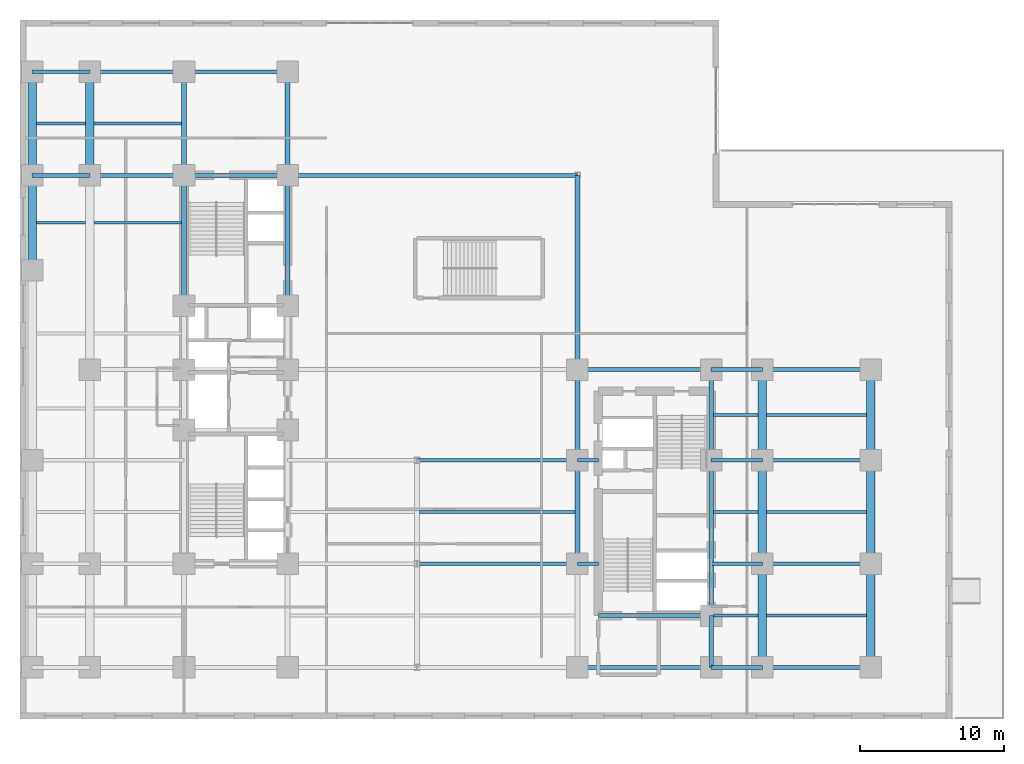
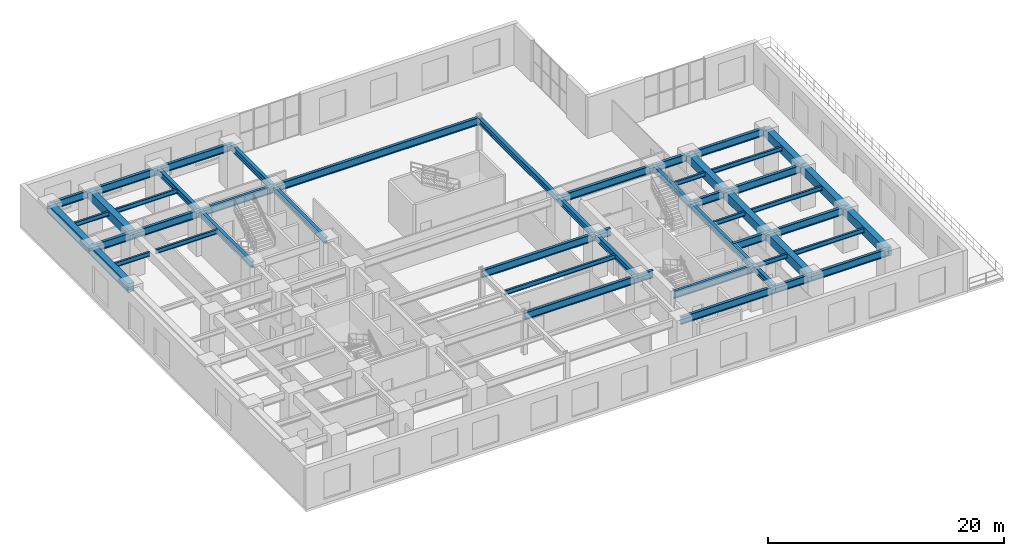
# One storey, part 3 of 15: 52 beams.
"""IFC4 building model written with IfcOpenShell, lengths in metres."""

from ifc_helpers import new_model, entity, si_unit, converted_unit, direction, frame, origin_with_axes, origin_2d_with_axis, place, context, subcontext, project, spatial, rectangle, i_section, extrude, material, material_profile, profile_set, type_object, element, save


model = new_model("IFC4")

# Units and contexts
model_context = context("Model", 3, precision=1e-05, world=origin_with_axes(), true_north=direction((0.0, 1.0)))
body_context = subcontext(model_context, "Body", "Model", "MODEL_VIEW")
ifc_project = project(units=[si_unit("LENGTHUNIT", "METRE"), si_unit("AREAUNIT", "SQUARE_METRE"), si_unit("VOLUMEUNIT", "CUBIC_METRE"), converted_unit("PLANEANGLEUNIT", "DEGREE", entity("IfcPlaneAngleMeasure", 0.017453292519943295), si_unit("PLANEANGLEUNIT", "RADIAN"), dimensions=[0, 0, 0, 0, 0, 0, 0]), si_unit("MASSUNIT", "GRAM", prefix="KILO"), si_unit("THERMODYNAMICTEMPERATUREUNIT", "KELVIN")], contexts=[model_context])

# Site, building, storey
site_placement = place(None, origin_with_axes())
site = spatial("IfcSite", under=ifc_project, at=site_placement, CompositionType="ELEMENT")
building_placement = place(site_placement, origin_with_axes())
building = spatial("IfcBuilding", under=site, at=building_placement, Name="Varnlund Millrace Tower", CompositionType="ELEMENT")
storey_placement = place(building_placement, frame((0.0, 0.0, 19.8), z_axis=(0.0, 0.0, 1.0), x_axis=(1.0, 0.0, 0.0)))
storey = spatial("IfcBuildingStorey", under=building, at=storey_placement, Name="L04", CompositionType="ELEMENT", Elevation=19.8)

# Beams
ifc_material_1 = material(Name="Steel ASTM A992 Grade 50", Category="steel")
ifc_material_profile_1 = material_profile(ifc_material_1, i_section(OverallWidth=0.328, OverallDepth=0.628, WebThickness=0.0165, FlangeThickness=0.0277, FilletRadius=0.018, at=origin_2d_with_axis()), Name="Steel ASTM A992 Grade 50")
ifc_profile_set_1 = profile_set([ifc_material_profile_1], Name="Steel ASTM A992 Grade 50")
beam_type_1 = type_object("IfcBeamType", Name="Type-Girder-W24X146", PredefinedType="USERDEFINED", material=ifc_profile_set_1)
beam_1_placement = place(storey_placement, frame((11.4, 28.75, 3.946), z_axis=(0.0, 1.0, 0.0), x_axis=(-1.0, 0.0, 0.0)))
element("IfcBeam", 1, at=beam_1_placement, inside=storey, type_object=beam_type_1, Name="Type-Girder-W24X146", ObjectType="GIRDER", PredefinedType="USERDEFINED", context=body_context, shape_type="SweptSolid", body=[
    extrude(i_section(OverallWidth=0.328, OverallDepth=0.628, WebThickness=0.0165, FlangeThickness=0.0277, FilletRadius=0.018, at=origin_2d_with_axis()), origin_with_axes(), (0.0, 0.0, 1.0), 9.05),
])
beam_2_placement = place(storey_placement, frame((11.4, 37.8, 3.946), z_axis=(0.0, 1.0, 0.0), x_axis=(-1.0, 0.0, 0.0)))
element("IfcBeam", 2, at=beam_2_placement, inside=storey, type_object=beam_type_1, Name="Type-Girder-W24X146", ObjectType="GIRDER", PredefinedType="USERDEFINED", context=body_context, shape_type="SweptSolid", body=[
    extrude(i_section(OverallWidth=0.328, OverallDepth=0.628, WebThickness=0.0165, FlangeThickness=0.0277, FilletRadius=0.018, at=origin_2d_with_axis()), origin_with_axes(), (0.0, 0.0, 1.0), 7.2),
])
beam_3_placement = place(storey_placement, frame((18.6, 28.75, 3.946), z_axis=(0.0, 1.0, 0.0), x_axis=(-1.0, 0.0, 0.0)))
element("IfcBeam", 3, at=beam_3_placement, inside=storey, type_object=beam_type_1, Name="Type-Girder-W24X146", ObjectType="GIRDER", PredefinedType="USERDEFINED", context=body_context, shape_type="SweptSolid", body=[
    extrude(i_section(OverallWidth=0.328, OverallDepth=0.628, WebThickness=0.0165, FlangeThickness=0.0277, FilletRadius=0.018, at=origin_2d_with_axis()), origin_with_axes(), (0.0, 0.0, 1.0), 9.05),
])
for number, where, z_axis, x_axis, name in (
    (4, (18.6, 37.8, 3.946), (0.0, 1.0, 0.0), (-1.0, 0.0, 0.0), "Type-Girder-W24X146"),
    (5, (38.75, 10.8, 3.946), (0.0, 1.0, 0.0), (-1.0, 0.0, 0.0), "Type-Girder-W24X146"),
):
    element("IfcBeam", number, at=place(storey_placement, frame(where, z_axis=z_axis, x_axis=x_axis)), inside=storey, type_object=beam_type_1, Name=name, ObjectType="GIRDER", PredefinedType="USERDEFINED", context=body_context, shape_type="SweptSolid", body=[
        extrude(i_section(OverallWidth=0.328, OverallDepth=0.628, WebThickness=0.0165, FlangeThickness=0.0277, FilletRadius=0.018, at=origin_2d_with_axis()), origin_with_axes(), (0.0, 0.0, 1.0), 7.2),
    ])
beam_4_placement = place(storey_placement, frame((38.75, 18.0, 3.946), z_axis=(0.0, 1.0, 0.0), x_axis=(-1.0, 0.0, 0.0)))
element("IfcBeam", 6, at=beam_4_placement, inside=storey, type_object=beam_type_1, Name="Type-Girder-W24X146", ObjectType="GIRDER", PredefinedType="USERDEFINED", context=body_context, shape_type="SweptSolid", body=[
    extrude(i_section(OverallWidth=0.328, OverallDepth=0.628, WebThickness=0.0165, FlangeThickness=0.0277, FilletRadius=0.018, at=origin_2d_with_axis()), origin_with_axes(), (0.0, 0.0, 1.0), 6.3),
])
beam_5_placement = place(storey_placement, frame((38.75, 24.3, 3.946), z_axis=(0.0, 1.0, 0.0), x_axis=(-1.0, 0.0, 0.0)))
element("IfcBeam", 7, at=beam_5_placement, inside=storey, type_object=beam_type_1, Name="Type-Girder-W24X146", ObjectType="GIRDER", PredefinedType="USERDEFINED", context=body_context, shape_type="SweptSolid", body=[
    extrude(i_section(OverallWidth=0.328, OverallDepth=0.628, WebThickness=0.0165, FlangeThickness=0.0277, FilletRadius=0.018, at=origin_2d_with_axis()), origin_with_axes(), (0.0, 0.0, 1.0), 13.5),
])
beam_6_placement = place(storey_placement, frame((48.05, 3.6, 3.946), z_axis=(0.0, 1.0, 0.0), x_axis=(-1.0, 0.0, 0.0)))
element("IfcBeam", 8, at=beam_6_placement, inside=storey, type_object=beam_type_1, Name="Type-Girder-W24X146", ObjectType="GIRDER", PredefinedType="USERDEFINED", context=body_context, shape_type="SweptSolid", body=[
    extrude(i_section(OverallWidth=0.328, OverallDepth=0.628, WebThickness=0.0165, FlangeThickness=0.0277, FilletRadius=0.018, at=origin_2d_with_axis()), origin_with_axes(), (0.0, 0.0, 1.0), 3.6),
])
beam_7_placement = place(storey_placement, frame((48.05, 7.2, 3.946), z_axis=(0.0, 1.0, 0.0), x_axis=(-1.0, 0.0, 0.0)))
element("IfcBeam", 9, at=beam_7_placement, inside=storey, type_object=beam_type_1, Name="Type-Girder-W24X146", ObjectType="GIRDER", PredefinedType="USERDEFINED", context=body_context, shape_type="SweptSolid", body=[
    extrude(i_section(OverallWidth=0.328, OverallDepth=0.628, WebThickness=0.0165, FlangeThickness=0.0277, FilletRadius=0.018, at=origin_2d_with_axis()), origin_with_axes(), (0.0, 0.0, 1.0), 10.8),
])
beam_8_placement = place(storey_placement, frame((48.05, 18.0, 3.946), z_axis=(0.0, 1.0, 0.0), x_axis=(-1.0, 0.0, 0.0)))
element("IfcBeam", 10, at=beam_8_placement, inside=storey, type_object=beam_type_1, Name="Type-Girder-W24X146", ObjectType="GIRDER", PredefinedType="USERDEFINED", context=body_context, shape_type="SweptSolid", body=[
    extrude(i_section(OverallWidth=0.328, OverallDepth=0.628, WebThickness=0.0165, FlangeThickness=0.0277, FilletRadius=0.018, at=origin_2d_with_axis()), origin_with_axes(), (0.0, 0.0, 1.0), 6.3),
])
ifc_material_profile_2 = material_profile(ifc_material_1, i_section(OverallWidth=0.266, OverallDepth=0.779, WebThickness=0.0165, FlangeThickness=0.03, FilletRadius=0.02, at=origin_2d_with_axis()), Name="Steel ASTM A992 Grade 50")
ifc_profile_set_2 = profile_set([ifc_material_profile_2], Name="Steel ASTM A992 Grade 50")
beam_type_2 = type_object("IfcBeamType", Name="Type-Girder-W30X148", PredefinedType="USERDEFINED", material=ifc_profile_set_2)
beam_9_placement = place(storey_placement, frame((38.75, 3.6, 3.8705), z_axis=(1.0, 0.0, 0.0), x_axis=(0.0, 1.0, 0.0)))
element("IfcBeam", 11, at=beam_9_placement, inside=storey, type_object=beam_type_2, Name="Type-Girder-W30X148", ObjectType="GIRDER", PredefinedType="USERDEFINED", context=body_context, shape_type="SweptSolid", body=[
    extrude(i_section(OverallWidth=0.266, OverallDepth=0.779, WebThickness=0.0165, FlangeThickness=0.03, FilletRadius=0.02, at=origin_2d_with_axis()), origin_with_axes(), (0.0, 0.0, 1.0), 9.3),
])
beam_10_placement = place(storey_placement, frame((48.05, 3.6, 3.8705), z_axis=(1.0, 0.0, 0.0), x_axis=(0.0, 1.0, 0.0)))
element("IfcBeam", 12, at=beam_10_placement, inside=storey, type_object=beam_type_2, Name="Type-Girder-W30X148", ObjectType="GIRDER", PredefinedType="USERDEFINED", context=body_context, shape_type="SweptSolid", body=[
    extrude(i_section(OverallWidth=0.266, OverallDepth=0.779, WebThickness=0.0165, FlangeThickness=0.03, FilletRadius=0.02, at=origin_2d_with_axis()), origin_with_axes(), (0.0, 0.0, 1.0), 3.55),
])
beam_11_placement = place(storey_placement, frame((51.6, 3.6, 3.8705), z_axis=(1.0, 0.0, 0.0), x_axis=(0.0, 1.0, 0.0)))
element("IfcBeam", 13, at=beam_11_placement, inside=storey, type_object=beam_type_2, Name="Type-Girder-W30X148", ObjectType="GIRDER", PredefinedType="USERDEFINED", context=body_context, shape_type="SweptSolid", body=[
    extrude(i_section(OverallWidth=0.266, OverallDepth=0.779, WebThickness=0.0165, FlangeThickness=0.03, FilletRadius=0.02, at=origin_2d_with_axis()), origin_with_axes(), (0.0, 0.0, 1.0), 7.55),
])
beam_12_placement = place(storey_placement, frame((40.2, 7.2, 3.8705), z_axis=(1.0, 0.0, 0.0), x_axis=(0.0, 1.0, 0.0)))
element("IfcBeam", 14, at=beam_12_placement, inside=storey, type_object=beam_type_2, Name="Type-Girder-W30X148", ObjectType="GIRDER", PredefinedType="USERDEFINED", context=body_context, shape_type="SweptSolid", body=[
    extrude(i_section(OverallWidth=0.266, OverallDepth=0.779, WebThickness=0.0165, FlangeThickness=0.03, FilletRadius=0.02, at=origin_2d_with_axis()), origin_with_axes(), (0.0, 0.0, 1.0), 7.85),
])
beam_13_placement = place(storey_placement, frame((27.6, 10.8, 3.8705), z_axis=(1.0, 0.0, 0.0), x_axis=(0.0, 1.0, 0.0)))
element("IfcBeam", 15, at=beam_13_placement, inside=storey, type_object=beam_type_2, Name="Type-Girder-W30X148", ObjectType="GIRDER", PredefinedType="USERDEFINED", context=body_context, shape_type="SweptSolid", body=[
    extrude(i_section(OverallWidth=0.266, OverallDepth=0.779, WebThickness=0.0165, FlangeThickness=0.03, FilletRadius=0.02, at=origin_2d_with_axis()), origin_with_axes(), (0.0, 0.0, 1.0), 11.15),
])
beam_14_placement = place(storey_placement, frame((38.75, 10.8, 3.8705), z_axis=(1.0, 0.0, 0.0), x_axis=(0.0, 1.0, 0.0)))
element("IfcBeam", 16, at=beam_14_placement, inside=storey, type_object=beam_type_2, Name="Type-Girder-W30X148", ObjectType="GIRDER", PredefinedType="USERDEFINED", context=body_context, shape_type="SweptSolid", body=[
    extrude(i_section(OverallWidth=0.266, OverallDepth=0.779, WebThickness=0.0165, FlangeThickness=0.03, FilletRadius=0.02, at=origin_2d_with_axis()), origin_with_axes(), (0.0, 0.0, 1.0), 1.45),
])
beam_15_placement = place(storey_placement, frame((48.05, 10.8, 3.8705), z_axis=(1.0, 0.0, 0.0), x_axis=(0.0, 1.0, 0.0)))
element("IfcBeam", 17, at=beam_15_placement, inside=storey, type_object=beam_type_2, Name="Type-Girder-W30X148", ObjectType="GIRDER", PredefinedType="USERDEFINED", context=body_context, shape_type="SweptSolid", body=[
    extrude(i_section(OverallWidth=0.266, OverallDepth=0.779, WebThickness=0.0165, FlangeThickness=0.03, FilletRadius=0.02, at=origin_2d_with_axis()), origin_with_axes(), (0.0, 0.0, 1.0), 3.55),
])
beam_16_placement = place(storey_placement, frame((51.6, 10.8, 3.8705), z_axis=(1.0, 0.0, 0.0), x_axis=(0.0, 1.0, 0.0)))
element("IfcBeam", 18, at=beam_16_placement, inside=storey, type_object=beam_type_2, Name="Type-Girder-W30X148", ObjectType="GIRDER", PredefinedType="USERDEFINED", context=body_context, shape_type="SweptSolid", body=[
    extrude(i_section(OverallWidth=0.266, OverallDepth=0.779, WebThickness=0.0165, FlangeThickness=0.03, FilletRadius=0.02, at=origin_2d_with_axis()), origin_with_axes(), (0.0, 0.0, 1.0), 7.55),
])
beam_17_placement = place(storey_placement, frame((27.6, 18.0, 3.8705), z_axis=(1.0, 0.0, 0.0), x_axis=(0.0, 1.0, 0.0)))
element("IfcBeam", 19, at=beam_17_placement, inside=storey, type_object=beam_type_2, Name="Type-Girder-W30X148", ObjectType="GIRDER", PredefinedType="USERDEFINED", context=body_context, shape_type="SweptSolid", body=[
    extrude(i_section(OverallWidth=0.266, OverallDepth=0.779, WebThickness=0.0165, FlangeThickness=0.03, FilletRadius=0.02, at=origin_2d_with_axis()), origin_with_axes(), (0.0, 0.0, 1.0), 11.15),
])
beam_18_placement = place(storey_placement, frame((38.75, 18.0, 3.8705), z_axis=(1.0, 0.0, 0.0), x_axis=(0.0, 1.0, 0.0)))
element("IfcBeam", 20, at=beam_18_placement, inside=storey, type_object=beam_type_2, Name="Type-Girder-W30X148", ObjectType="GIRDER", PredefinedType="USERDEFINED", context=body_context, shape_type="SweptSolid", body=[
    extrude(i_section(OverallWidth=0.266, OverallDepth=0.779, WebThickness=0.0165, FlangeThickness=0.03, FilletRadius=0.02, at=origin_2d_with_axis()), origin_with_axes(), (0.0, 0.0, 1.0), 1.45),
])
beam_19_placement = place(storey_placement, frame((48.05, 18.0, 3.8705), z_axis=(1.0, 0.0, 0.0), x_axis=(0.0, 1.0, 0.0)))
element("IfcBeam", 21, at=beam_19_placement, inside=storey, type_object=beam_type_2, Name="Type-Girder-W30X148", ObjectType="GIRDER", PredefinedType="USERDEFINED", context=body_context, shape_type="SweptSolid", body=[
    extrude(i_section(OverallWidth=0.266, OverallDepth=0.779, WebThickness=0.0165, FlangeThickness=0.03, FilletRadius=0.02, at=origin_2d_with_axis()), origin_with_axes(), (0.0, 0.0, 1.0), 3.55),
])
beam_20_placement = place(storey_placement, frame((51.6, 18.0, 3.8705), z_axis=(1.0, 0.0, 0.0), x_axis=(0.0, 1.0, 0.0)))
element("IfcBeam", 22, at=beam_20_placement, inside=storey, type_object=beam_type_2, Name="Type-Girder-W30X148", ObjectType="GIRDER", PredefinedType="USERDEFINED", context=body_context, shape_type="SweptSolid", body=[
    extrude(i_section(OverallWidth=0.266, OverallDepth=0.779, WebThickness=0.0165, FlangeThickness=0.03, FilletRadius=0.02, at=origin_2d_with_axis()), origin_with_axes(), (0.0, 0.0, 1.0), 7.55),
])
beam_21_placement = place(storey_placement, frame((38.75, 24.3, 3.8705), z_axis=(1.0, 0.0, 0.0), x_axis=(0.0, 1.0, 0.0)))
element("IfcBeam", 23, at=beam_21_placement, inside=storey, type_object=beam_type_2, Name="Type-Girder-W30X148", ObjectType="GIRDER", PredefinedType="USERDEFINED", context=body_context, shape_type="SweptSolid", body=[
    extrude(i_section(OverallWidth=0.266, OverallDepth=0.779, WebThickness=0.0165, FlangeThickness=0.03, FilletRadius=0.02, at=origin_2d_with_axis()), origin_with_axes(), (0.0, 0.0, 1.0), 9.3),
])
beam_22_placement = place(storey_placement, frame((48.05, 24.3, 3.8705), z_axis=(1.0, 0.0, 0.0), x_axis=(0.0, 1.0, 0.0)))
element("IfcBeam", 24, at=beam_22_placement, inside=storey, type_object=beam_type_2, Name="Type-Girder-W30X148", ObjectType="GIRDER", PredefinedType="USERDEFINED", context=body_context, shape_type="SweptSolid", body=[
    extrude(i_section(OverallWidth=0.266, OverallDepth=0.779, WebThickness=0.0165, FlangeThickness=0.03, FilletRadius=0.02, at=origin_2d_with_axis()), origin_with_axes(), (0.0, 0.0, 1.0), 3.55),
])
beam_23_placement = place(storey_placement, frame((51.6, 24.3, 3.8705), z_axis=(1.0, 0.0, 0.0), x_axis=(0.0, 1.0, 0.0)))
element("IfcBeam", 25, at=beam_23_placement, inside=storey, type_object=beam_type_2, Name="Type-Girder-W30X148", ObjectType="GIRDER", PredefinedType="USERDEFINED", context=body_context, shape_type="SweptSolid", body=[
    extrude(i_section(OverallWidth=0.266, OverallDepth=0.779, WebThickness=0.0165, FlangeThickness=0.03, FilletRadius=0.02, at=origin_2d_with_axis()), origin_with_axes(), (0.0, 0.0, 1.0), 7.55),
])
beam_24_placement = place(storey_placement, frame((0.85, 37.8, 3.8705), z_axis=(1.0, 0.0, 0.0), x_axis=(0.0, 1.0, 0.0)))
element("IfcBeam", 26, at=beam_24_placement, inside=storey, type_object=beam_type_2, Name="Type-Girder-W30X148", ObjectType="GIRDER", PredefinedType="USERDEFINED", context=body_context, shape_type="SweptSolid", body=[
    extrude(i_section(OverallWidth=0.266, OverallDepth=0.779, WebThickness=0.0165, FlangeThickness=0.03, FilletRadius=0.02, at=origin_2d_with_axis()), origin_with_axes(), (0.0, 0.0, 1.0), 4.0),
])
beam_25_placement = place(storey_placement, frame((4.85, 37.8, 3.8705), z_axis=(1.0, 0.0, 0.0), x_axis=(0.0, 1.0, 0.0)))
element("IfcBeam", 27, at=beam_25_placement, inside=storey, type_object=beam_type_2, Name="Type-Girder-W30X148", ObjectType="GIRDER", PredefinedType="USERDEFINED", context=body_context, shape_type="SweptSolid", body=[
    extrude(i_section(OverallWidth=0.266, OverallDepth=0.779, WebThickness=0.0165, FlangeThickness=0.03, FilletRadius=0.02, at=origin_2d_with_axis()), origin_with_axes(), (0.0, 0.0, 1.0), 6.55),
])
beam_26_placement = place(storey_placement, frame((11.4, 37.8, 3.8705), z_axis=(1.0, 0.0, 0.0), x_axis=(0.0, 1.0, 0.0)))
element("IfcBeam", 28, at=beam_26_placement, inside=storey, type_object=beam_type_2, Name="Type-Girder-W30X148", ObjectType="GIRDER", PredefinedType="USERDEFINED", context=body_context, shape_type="SweptSolid", body=[
    extrude(i_section(OverallWidth=0.266, OverallDepth=0.779, WebThickness=0.0165, FlangeThickness=0.03, FilletRadius=0.02, at=origin_2d_with_axis()), origin_with_axes(), (0.0, 0.0, 1.0), 7.2),
])
beam_27_placement = place(storey_placement, frame((18.6, 37.8, 3.8705), z_axis=(1.0, 0.0, 0.0), x_axis=(0.0, 1.0, 0.0)))
element("IfcBeam", 29, at=beam_27_placement, inside=storey, type_object=beam_type_2, Name="Type-Girder-W30X148", ObjectType="GIRDER", PredefinedType="USERDEFINED", context=body_context, shape_type="SweptSolid", body=[
    extrude(i_section(OverallWidth=0.266, OverallDepth=0.779, WebThickness=0.0165, FlangeThickness=0.03, FilletRadius=0.02, at=origin_2d_with_axis()), origin_with_axes(), (0.0, 0.0, 1.0), 20.15),
])
beam_28_placement = place(storey_placement, frame((0.85, 45.0, 3.8705), z_axis=(1.0, 0.0, 0.0), x_axis=(0.0, 1.0, 0.0)))
element("IfcBeam", 30, at=beam_28_placement, inside=storey, type_object=beam_type_2, Name="Type-Girder-W30X148", ObjectType="GIRDER", PredefinedType="USERDEFINED", context=body_context, shape_type="SweptSolid", body=[
    extrude(i_section(OverallWidth=0.266, OverallDepth=0.779, WebThickness=0.0165, FlangeThickness=0.03, FilletRadius=0.02, at=origin_2d_with_axis()), origin_with_axes(), (0.0, 0.0, 1.0), 4.0),
])
beam_29_placement = place(storey_placement, frame((4.85, 45.0, 3.8705), z_axis=(1.0, 0.0, 0.0), x_axis=(0.0, 1.0, 0.0)))
element("IfcBeam", 31, at=beam_29_placement, inside=storey, type_object=beam_type_2, Name="Type-Girder-W30X148", ObjectType="GIRDER", PredefinedType="USERDEFINED", context=body_context, shape_type="SweptSolid", body=[
    extrude(i_section(OverallWidth=0.266, OverallDepth=0.779, WebThickness=0.0165, FlangeThickness=0.03, FilletRadius=0.02, at=origin_2d_with_axis()), origin_with_axes(), (0.0, 0.0, 1.0), 6.55),
])
beam_30_placement = place(storey_placement, frame((11.4, 45.0, 3.8705), z_axis=(1.0, 0.0, 0.0), x_axis=(0.0, 1.0, 0.0)))
element("IfcBeam", 32, at=beam_30_placement, inside=storey, type_object=beam_type_2, Name="Type-Girder-W30X148", ObjectType="GIRDER", PredefinedType="USERDEFINED", context=body_context, shape_type="SweptSolid", body=[
    extrude(i_section(OverallWidth=0.266, OverallDepth=0.779, WebThickness=0.0165, FlangeThickness=0.03, FilletRadius=0.02, at=origin_2d_with_axis()), origin_with_axes(), (0.0, 0.0, 1.0), 7.2),
])
ifc_material_profile_3 = material_profile(ifc_material_1, i_section(OverallWidth=0.191, OverallDepth=0.457, WebThickness=0.009, FlangeThickness=0.0145, FilletRadius=0.013, at=origin_2d_with_axis()), Name="Steel ASTM A992 Grade 50")
ifc_profile_set_3 = profile_set([ifc_material_profile_3], Name="Steel ASTM A992 Grade 50")
beam_type_3 = type_object("IfcBeamType", Name="Type-Joist-W18X50", PredefinedType="JOIST", material=ifc_profile_set_3)
for number, where, z_axis, x_axis, name in (
    (33, (1.15, 34.5, 4.0315), (1.0, 0.0, 0.0), (0.0, 1.0, 0.0), "Type-Joist-W18X50"),
    (34, (1.15, 41.4, 4.0315), (1.0, 0.0, 0.0), (0.0, 1.0, 0.0), "Type-Joist-W18X50"),
):
    element("IfcBeam", number, at=place(storey_placement, frame(where, z_axis=z_axis, x_axis=x_axis)), inside=storey, type_object=beam_type_3, Name=name, PredefinedType="JOIST", context=body_context, shape_type="SweptSolid", body=[
        extrude(i_section(OverallWidth=0.191, OverallDepth=0.457, WebThickness=0.009, FlangeThickness=0.0145, FilletRadius=0.013, at=origin_2d_with_axis()), origin_with_axes(), (0.0, 0.0, 1.0), 3.4),
    ])
for number, where, z_axis, x_axis, name in (
    (35, (5.15, 34.5, 4.0315), (1.0, 0.0, 0.0), (0.0, 1.0, 0.0), "Type-Joist-W18X50"),
    (36, (5.15, 41.4, 4.0315), (1.0, 0.0, 0.0), (0.0, 1.0, 0.0), "Type-Joist-W18X50"),
):
    element("IfcBeam", number, at=place(storey_placement, frame(where, z_axis=z_axis, x_axis=x_axis)), inside=storey, type_object=beam_type_3, Name=name, PredefinedType="JOIST", context=body_context, shape_type="SweptSolid", body=[
        extrude(i_section(OverallWidth=0.191, OverallDepth=0.457, WebThickness=0.009, FlangeThickness=0.0145, FilletRadius=0.013, at=origin_2d_with_axis()), origin_with_axes(), (0.0, 0.0, 1.0), 6.086),
    ])
for number, where, z_axis, x_axis, name in (
    (37, (48.214, 7.2, 4.0315), (1.0, 0.0, 0.0), (0.0, 1.0, 0.0), "Type-Joist-W18X50"),
    (38, (48.214, 14.4, 4.0315), (1.0, 0.0, 0.0), (0.0, 1.0, 0.0), "Type-Joist-W18X50"),
    (39, (48.214, 21.15, 4.0315), (1.0, 0.0, 0.0), (0.0, 1.0, 0.0), "Type-Joist-W18X50"),
):
    element("IfcBeam", number, at=place(storey_placement, frame(where, z_axis=z_axis, x_axis=x_axis)), inside=storey, type_object=beam_type_3, Name=name, PredefinedType="JOIST", context=body_context, shape_type="SweptSolid", body=[
        extrude(i_section(OverallWidth=0.191, OverallDepth=0.457, WebThickness=0.009, FlangeThickness=0.0145, FilletRadius=0.013, at=origin_2d_with_axis()), origin_with_axes(), (0.0, 0.0, 1.0), 3.086),
    ])
for number, where, z_axis, x_axis, name in (
    (40, (51.9, 7.2, 4.0315), (1.0, 0.0, 0.0), (0.0, 1.0, 0.0), "Type-Joist-W18X50"),
    (41, (51.9, 14.4, 4.0315), (1.0, 0.0, 0.0), (0.0, 1.0, 0.0), "Type-Joist-W18X50"),
    (42, (51.9, 21.15, 4.0315), (1.0, 0.0, 0.0), (0.0, 1.0, 0.0), "Type-Joist-W18X50"),
):
    element("IfcBeam", number, at=place(storey_placement, frame(where, z_axis=z_axis, x_axis=x_axis)), inside=storey, type_object=beam_type_3, Name=name, PredefinedType="JOIST", context=body_context, shape_type="SweptSolid", body=[
        extrude(i_section(OverallWidth=0.191, OverallDepth=0.457, WebThickness=0.009, FlangeThickness=0.0145, FilletRadius=0.013, at=origin_2d_with_axis()), origin_with_axes(), (0.0, 0.0, 1.0), 6.95),
    ])
beam_31_placement = place(storey_placement, frame((27.764, 14.4, 4.0315), z_axis=(1.0, 0.0, 0.0), x_axis=(0.0, 1.0, 0.0)))
element("IfcBeam", 43, at=beam_31_placement, inside=storey, type_object=beam_type_3, Name="Type-Joist-W18X50", PredefinedType="JOIST", context=body_context, shape_type="SweptSolid", body=[
    extrude(i_section(OverallWidth=0.191, OverallDepth=0.457, WebThickness=0.009, FlangeThickness=0.0145, FilletRadius=0.013, at=origin_2d_with_axis()), origin_with_axes(), (0.0, 0.0, 1.0), 10.822),
])
ifc_material_2 = material(Name="Concrete C70/85", Category="concrete")
ifc_material_profile_4 = material_profile(ifc_material_2, rectangle(XDim=0.6, YDim=0.9, at=origin_2d_with_axis()), Name="Concrete C70/85")
ifc_profile_set_4 = profile_set([ifc_material_profile_4], Name="Concrete C70/85")
beam_type_4 = type_object("IfcBeamType", Name="Type-Spandrel-RC600X900", PredefinedType="SPANDREL", material=ifc_profile_set_4)
beam_32_placement = place(storey_placement, frame((0.85, 31.2, 3.81), z_axis=(0.0, 1.0, 0.0), x_axis=(-1.0, 0.0, 0.0)))
element("IfcBeam", 44, at=beam_32_placement, inside=storey, type_object=beam_type_4, Name="Type-Spandrel-RC600X900", PredefinedType="SPANDREL", context=body_context, shape_type="SweptSolid", body=[
    extrude(rectangle(XDim=0.6, YDim=0.9, at=origin_2d_with_axis()), origin_with_axes(), (0.0, 0.0, 1.0), 6.6),
])
for number, where, z_axis, x_axis, name in (
    (45, (0.85, 37.8, 3.81), (0.0, 1.0, 0.0), (-1.0, 0.0, 0.0), "Type-Spandrel-RC600X900"),
    (46, (4.85, 37.8, 3.81), (0.0, 1.0, 0.0), (-1.0, 0.0, 0.0), "Type-Spandrel-RC600X900"),
    (47, (51.6, 3.6, 3.81), (0.0, 1.0, 0.0), (-1.0, 0.0, 0.0), "Type-Spandrel-RC600X900"),
    (48, (51.6, 10.8, 3.81), (0.0, 1.0, 0.0), (-1.0, 0.0, 0.0), "Type-Spandrel-RC600X900"),
):
    element("IfcBeam", number, at=place(storey_placement, frame(where, z_axis=z_axis, x_axis=x_axis)), inside=storey, type_object=beam_type_4, Name=name, PredefinedType="SPANDREL", context=body_context, shape_type="SweptSolid", body=[
        extrude(rectangle(XDim=0.6, YDim=0.9, at=origin_2d_with_axis()), origin_with_axes(), (0.0, 0.0, 1.0), 7.2),
    ])
beam_33_placement = place(storey_placement, frame((51.6, 18.0, 3.81), z_axis=(0.0, 1.0, 0.0), x_axis=(-1.0, 0.0, 0.0)))
element("IfcBeam", 49, at=beam_33_placement, inside=storey, type_object=beam_type_4, Name="Type-Spandrel-RC600X900", PredefinedType="SPANDREL", context=body_context, shape_type="SweptSolid", body=[
    extrude(rectangle(XDim=0.6, YDim=0.9, at=origin_2d_with_axis()), origin_with_axes(), (0.0, 0.0, 1.0), 6.3),
])
for number, where, z_axis, x_axis, name in (
    (50, (59.15, 3.6, 3.81), (0.0, 1.0, 0.0), (-1.0, 0.0, 0.0), "Type-Spandrel-RC600X900"),
    (51, (59.15, 10.8, 3.81), (0.0, 1.0, 0.0), (-1.0, 0.0, 0.0), "Type-Spandrel-RC600X900"),
):
    element("IfcBeam", number, at=place(storey_placement, frame(where, z_axis=z_axis, x_axis=x_axis)), inside=storey, type_object=beam_type_4, Name=name, PredefinedType="SPANDREL", context=body_context, shape_type="SweptSolid", body=[
        extrude(rectangle(XDim=0.6, YDim=0.9, at=origin_2d_with_axis()), origin_with_axes(), (0.0, 0.0, 1.0), 7.2),
    ])
beam_34_placement = place(storey_placement, frame((59.15, 18.0, 3.81), z_axis=(0.0, 1.0, 0.0), x_axis=(-1.0, 0.0, 0.0)))
element("IfcBeam", 52, at=beam_34_placement, inside=storey, type_object=beam_type_4, Name="Type-Spandrel-RC600X900", PredefinedType="SPANDREL", context=body_context, shape_type="SweptSolid", body=[
    extrude(rectangle(XDim=0.6, YDim=0.9, at=origin_2d_with_axis()), origin_with_axes(), (0.0, 0.0, 1.0), 6.3),
])

save(model, "model.ifc")
